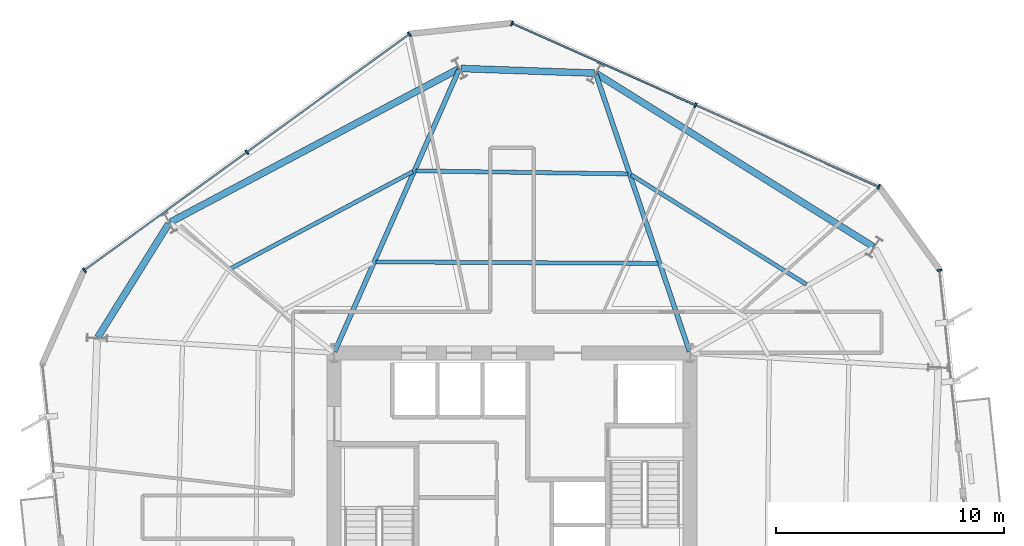
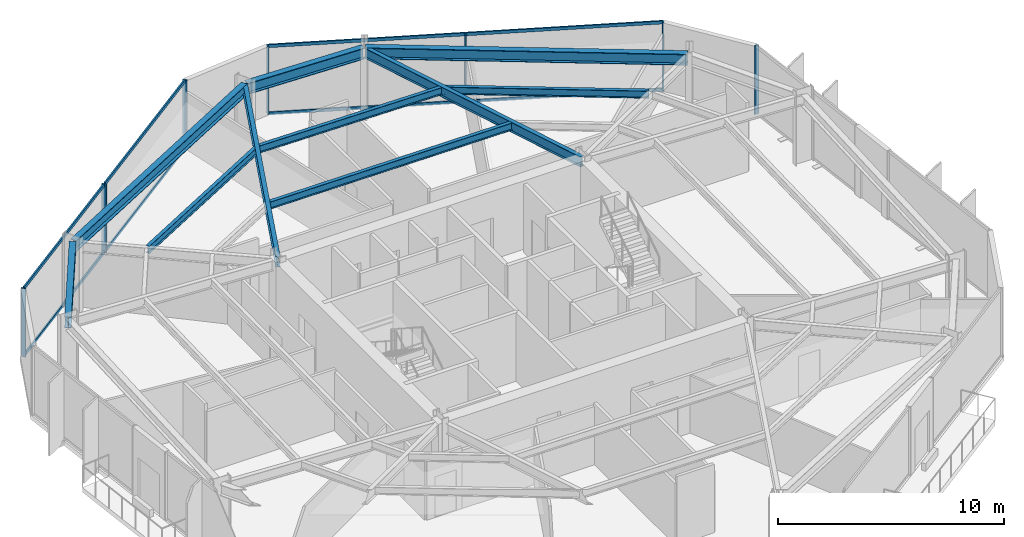
# One storey, part 5 of 12: 15 members, 10 beams, 3 elements without a shape of their own.
"""IFC4 building model written with IfcOpenShell, lengths in metres."""

from ifc_helpers import new_model, si_unit, direction, frame, origin, origin_2d, place, context, subcontext, project, spatial, rectangle, i_section, extrude, material, layer, layer_set, material_profile, profile_set, type_object, element, aggregate, save


model = new_model("IFC4")

# Units and contexts
model_context = context("Model", 3, precision=1e-05, world=origin(), true_north=direction((0.0, 1.0)))
body_context = subcontext(model_context, "Body", "Model", "MODEL_VIEW")
ifc_project = project(units=[si_unit("LENGTHUNIT", "METRE"), si_unit("AREAUNIT", "SQUARE_METRE"), si_unit("VOLUMEUNIT", "CUBIC_METRE"), si_unit("PLANEANGLEUNIT", "RADIAN"), si_unit("MASSUNIT", "GRAM", prefix="KILO")], contexts=[model_context])

# Site, building, storey
site_placement = place(None, origin())
site = spatial("IfcSite", under=ifc_project, at=site_placement, CompositionType="ELEMENT")
building_placement = place(site_placement, origin())
building = spatial("IfcBuilding", under=site, at=building_placement, Name="Kranzbogen Civic Tower", CompositionType="ELEMENT")
storey_placement = place(building_placement, frame((0.0, 0.0, 166.39990234375)))
storey = spatial("IfcBuildingStorey", under=building, at=storey_placement, Name="L40", CompositionType="ELEMENT", Elevation=166.39990234375)

# Curtain wall, members
ifc_material_1 = material(Name="Pale Anodised Aluminium", Category="aluminium")
ifc_layer = layer(ifc_material_1, 0.219970703125, Name="Pale Anodised Aluminium")
ifc_layer_set = layer_set([ifc_layer], Name="Pale Anodised Aluminium")
curtain_wall_type = type_object("IfcCurtainWallType", Name="Zone 2 Stick Curtain Wall System CW-03", PredefinedType="USERDEFINED", material=ifc_layer_set)
curtain_wall_1_placement = place(storey_placement, origin())
curtain_wall_1 = element("IfcCurtainWall", 1, at=curtain_wall_1_placement, inside=storey, type_object=curtain_wall_type, Name="L40 curtain wall CW-L40-F1", ObjectType="STICK CURTAIN WALL", PredefinedType="USERDEFINED")
ifc_material_profile_1 = material_profile(ifc_material_1, rectangle(XDim=0.074951171875, YDim=0.219970703125, at=origin_2d()), Name="ALU-M 75x220")
ifc_profile_set_1 = profile_set([ifc_material_profile_1], Name="Pale Anodised Aluminium")
member_type_1 = type_object("IfcMemberType", Name="Curtain Wall Mullion ALU-M 75x220", PredefinedType="MULLION", material=ifc_profile_set_1)
member_1_placement = place(storey_placement, frame((41.085693359375, 39.481201171875, 0.0), z_axis=(0.0, 0.0, 1.0), x_axis=(-0.913533600789, 0.406763272961, 0.0)))
member_1 = element("IfcMember", 2, at=member_1_placement, type_object=member_type_1, Name="CW-03 mullion 1", PredefinedType="MULLION", context=body_context, shape_type="SweptSolid", body=[
    extrude(rectangle(XDim=0.074951171875, YDim=0.219970703125, at=origin_2d()), origin(), (0.0, 0.0, 1.0), 3.7001953125),
])
member_2_placement = place(storey_placement, frame((33.04248046875, 43.0625, 0.0), z_axis=(0.0, 0.0, 1.0), x_axis=(-0.913533600789, 0.406763272961, 0.0)))
member_2 = element("IfcMember", 3, at=member_2_placement, type_object=member_type_1, Name="CW-03 mullion 2", PredefinedType="MULLION", context=body_context, shape_type="SweptSolid", body=[
    extrude(rectangle(XDim=0.074951171875, YDim=0.219970703125, at=origin_2d()), origin(), (0.0, 0.0, 1.0), 3.7001953125),
])
member_3_placement = place(storey_placement, frame((24.99951171875, 46.643798828125, 0.0), z_axis=(0.0, 0.0, 1.0), x_axis=(-0.913533600789, 0.406763272961, 0.0)))
member_3 = element("IfcMember", 4, at=member_3_placement, type_object=member_type_1, Name="CW-03 mullion 3", PredefinedType="MULLION", context=body_context, shape_type="SweptSolid", body=[
    extrude(rectangle(XDim=0.074951171875, YDim=0.219970703125, at=origin_2d()), origin(), (0.0, 0.0, 1.0), 3.7001953125),
])

curtain_wall_2_placement = place(storey_placement, origin())
curtain_wall_2 = element("IfcCurtainWall", 5, at=curtain_wall_2_placement, inside=storey, type_object=curtain_wall_type, Name="L40 curtain wall CW-L40-F2", ObjectType="STICK CURTAIN WALL", PredefinedType="USERDEFINED")
member_4_placement = place(storey_placement, frame((20.500732421875, 46.17138671875, 0.0), z_axis=(0.0, 0.0, 1.0), x_axis=(-0.808995433377, -0.587814927315, 0.0)))
member_4 = element("IfcMember", 6, at=member_4_placement, type_object=member_type_1, Name="CW-03 mullion 1", PredefinedType="MULLION", context=body_context, shape_type="SweptSolid", body=[
    extrude(rectangle(XDim=0.074951171875, YDim=0.219970703125, at=origin_2d()), origin(), (0.0, 0.0, 1.0), 3.7001953125),
])
member_5_placement = place(storey_placement, frame((13.3779296875, 40.99609375, 0.0), z_axis=(0.0, 0.0, 1.0), x_axis=(-0.808995433377, -0.587814927315, 0.0)))
member_5 = element("IfcMember", 7, at=member_5_placement, type_object=member_type_1, Name="CW-03 mullion 2", PredefinedType="MULLION", context=body_context, shape_type="SweptSolid", body=[
    extrude(rectangle(XDim=0.074951171875, YDim=0.219970703125, at=origin_2d()), origin(), (0.0, 0.0, 1.0), 3.7001953125),
])
member_6_placement = place(storey_placement, frame((6.25537109375, 35.820556640625, 0.0), z_axis=(0.0, 0.0, 1.0), x_axis=(-0.808995433377, -0.587814927315, 0.0)))
member_6 = element("IfcMember", 8, at=member_6_placement, type_object=member_type_1, Name="CW-03 mullion 3", PredefinedType="MULLION", context=body_context, shape_type="SweptSolid", body=[
    extrude(rectangle(XDim=0.074951171875, YDim=0.219970703125, at=origin_2d()), origin(), (0.0, 0.0, 1.0), 3.7001953125),
])

# Curtain wall, member
curtain_wall_3_placement = place(storey_placement, origin())
curtain_wall_3 = element("IfcCurtainWall", 9, at=curtain_wall_3_placement, inside=storey, type_object=curtain_wall_type, Name="L40 curtain wall CW-L40-F6-S2", ObjectType="STICK CURTAIN WALL", PredefinedType="USERDEFINED")
member_7_placement = place(storey_placement, frame((43.744140625, 35.8232421875, 0.0), z_axis=(0.0, 0.0, 1.0), x_axis=(-0.104534766048, 0.994521232899, 0.0)))
member_7 = element("IfcMember", 10, at=member_7_placement, type_object=member_type_1, Name="CW-03 mullion 2", PredefinedType="MULLION", context=body_context, shape_type="SweptSolid", body=[
    extrude(rectangle(XDim=0.074951171875, YDim=0.219970703125, at=origin_2d()), origin(), (0.0, 0.0, 1.0), 3.7001953125),
])
aggregate(curtain_wall_3, [member_7])

# Member
ifc_material_profile_2 = material_profile(ifc_material_1, rectangle(XDim=0.074951171875, YDim=0.1650390625, at=origin_2d()), Name="ALU-T 75x165")
ifc_profile_set_2 = profile_set([ifc_material_profile_2], Name="Pale Anodised Aluminium")
member_type_2 = type_object("IfcMemberType", Name="Curtain Wall Transom ALU-T 75x165", PredefinedType="USERDEFINED", material=ifc_profile_set_2)
member_8_placement = place(storey_placement, frame((41.05810546875, 39.493408203125, 0.030029296875), z_axis=(-0.913533864962, 0.406762679665, 0.0), x_axis=(-0.406762679665, -0.913533864962, 0.0)))
member_8 = element("IfcMember", 11, at=member_8_placement, type_object=member_type_2, Name="CW-03 transom 1.1", ObjectType="TRANSOM", PredefinedType="USERDEFINED", context=body_context, shape_type="SweptSolid", body=[
    extrude(rectangle(XDim=0.074951171875, YDim=0.1650390625, at=origin_2d()), origin(), (0.0, 0.0, 1.0), 8.744384765625),
])

member_9_placement = place(storey_placement, frame((41.05810546875, 39.493408203125, 3.670166015625), z_axis=(-0.913533864962, 0.406762679665, 0.0), x_axis=(-0.406762679665, -0.913533864962, 0.0)))
member_9 = element("IfcMember", 12, at=member_9_placement, type_object=member_type_2, Name="CW-03 transom 1.2", ObjectType="TRANSOM", PredefinedType="USERDEFINED", context=body_context, shape_type="SweptSolid", body=[
    extrude(rectangle(XDim=0.074951171875, YDim=0.1650390625, at=origin_2d()), origin(), (0.0, 0.0, 1.0), 8.744384765625),
])

member_10_placement = place(storey_placement, frame((33.01513671875, 43.07470703125, 0.030029296875), z_axis=(-0.913533864962, 0.406762679665, 0.0), x_axis=(-0.406762679665, -0.913533864962, 0.0)))
member_10 = element("IfcMember", 13, at=member_10_placement, type_object=member_type_2, Name="CW-03 transom 2.1", ObjectType="TRANSOM", PredefinedType="USERDEFINED", context=body_context, shape_type="SweptSolid", body=[
    extrude(rectangle(XDim=0.074951171875, YDim=0.1650390625, at=origin_2d()), origin(), (0.0, 0.0, 1.0), 8.744384765625),
])

member_11_placement = place(storey_placement, frame((33.01513671875, 43.07470703125, 3.670166015625), z_axis=(-0.913533864962, 0.406762679665, 0.0), x_axis=(-0.406762679665, -0.913533864962, 0.0)))
member_11 = element("IfcMember", 14, at=member_11_placement, type_object=member_type_2, Name="CW-03 transom 2.2", ObjectType="TRANSOM", PredefinedType="USERDEFINED", context=body_context, shape_type="SweptSolid", body=[
    extrude(rectangle(XDim=0.074951171875, YDim=0.1650390625, at=origin_2d()), origin(), (0.0, 0.0, 1.0), 8.744384765625),
])

aggregate(curtain_wall_1, [member_1, member_2, member_3, member_8, member_9, member_10, member_11])

member_12_placement = place(storey_placement, frame((20.4765625, 46.15380859375, 0.030029296875), z_axis=(-0.8089943745, -0.587816384619, 0.0), x_axis=(0.587816384619, -0.8089943745, 0.0)))
member_12 = element("IfcMember", 15, at=member_12_placement, type_object=member_type_2, Name="CW-03 transom 1.1", ObjectType="TRANSOM", PredefinedType="USERDEFINED", context=body_context, shape_type="SweptSolid", body=[
    extrude(rectangle(XDim=0.074951171875, YDim=0.1650390625, at=origin_2d()), origin(), (0.0, 0.0, 1.0), 8.744384765625),
])

member_13_placement = place(storey_placement, frame((20.4765625, 46.15380859375, 3.670166015625), z_axis=(-0.8089943745, -0.587816384619, 0.0), x_axis=(0.587816384619, -0.8089943745, 0.0)))
member_13 = element("IfcMember", 16, at=member_13_placement, type_object=member_type_2, Name="CW-03 transom 1.2", ObjectType="TRANSOM", PredefinedType="USERDEFINED", context=body_context, shape_type="SweptSolid", body=[
    extrude(rectangle(XDim=0.074951171875, YDim=0.1650390625, at=origin_2d()), origin(), (0.0, 0.0, 1.0), 8.744384765625),
])

member_14_placement = place(storey_placement, frame((13.353759765625, 40.978271484375, 0.030029296875), z_axis=(-0.809007651338, -0.587798111665, 0.0), x_axis=(0.587798111665, -0.809007651338, 0.0)))
member_14 = element("IfcMember", 17, at=member_14_placement, type_object=member_type_2, Name="CW-03 transom 2.1", ObjectType="TRANSOM", PredefinedType="USERDEFINED", context=body_context, shape_type="SweptSolid", body=[
    extrude(rectangle(XDim=0.074951171875, YDim=0.1650390625, at=origin_2d()), origin(), (0.0, 0.0, 1.0), 8.744384765625),
])

member_15_placement = place(storey_placement, frame((13.353759765625, 40.978271484375, 3.670166015625), z_axis=(-0.809007651338, -0.587798111665, 0.0), x_axis=(0.587798111665, -0.809007651338, 0.0)))
member_15 = element("IfcMember", 18, at=member_15_placement, type_object=member_type_2, Name="CW-03 transom 2.2", ObjectType="TRANSOM", PredefinedType="USERDEFINED", context=body_context, shape_type="SweptSolid", body=[
    extrude(rectangle(XDim=0.074951171875, YDim=0.1650390625, at=origin_2d()), origin(), (0.0, 0.0, 1.0), 8.744384765625),
])

aggregate(curtain_wall_2, [member_4, member_5, member_6, member_12, member_13, member_14, member_15])

# Beams
ifc_material_2 = material(Name="Steel S355", Category="steel")
ifc_material_profile_3 = material_profile(ifc_material_2, i_section(OverallWidth=0.300048828125, OverallDepth=0.60009765625, WebThickness=0.015380859375, FlangeThickness=0.030029296875, at=origin_2d()), Name="HEB 600")
ifc_profile_set_3 = profile_set([ifc_material_profile_3], Name="Steel S355")
beam_type_1 = type_object("IfcBeamType", Name="Perimeter Tube Spandrel Beam HEB 600", PredefinedType="SPANDREL", material=ifc_profile_set_3)
beam_1_placement = place(storey_placement, frame((40.8349609375, 36.861083984375, 3.400146484375), z_axis=(-0.848051101349, 0.52991445489, 0.0), x_axis=(-0.52991445489, -0.848051101349, 0.0)))
element("IfcBeam", 19, at=beam_1_placement, inside=storey, type_object=beam_type_1, Name="L40 perimeter spandrel beam 08", PredefinedType="SPANDREL", context=body_context, shape_type="SweptSolid", body=[
    extrude(i_section(OverallWidth=0.300048828125, OverallDepth=0.60009765625, WebThickness=0.015380859375, FlangeThickness=0.030029296875, at=origin_2d()), origin(), (0.0, 0.0, 1.0), 14.286865234375),
])
beam_2_placement = place(storey_placement, frame((28.60791015625, 44.466064453125, 3.400146484375), z_axis=(-0.999393148233, 0.03483296234, 0.0), x_axis=(-0.03483296234, -0.999393148233, 0.0)))
element("IfcBeam", 20, at=beam_2_placement, inside=storey, type_object=beam_type_1, Name="L40 perimeter spandrel beam 09", PredefinedType="SPANDREL", context=body_context, shape_type="SweptSolid", body=[
    extrude(i_section(OverallWidth=0.300048828125, OverallDepth=0.60009765625, WebThickness=0.015380859375, FlangeThickness=0.030029296875, at=origin_2d()), origin(), (0.0, 0.0, 1.0), 5.8525390625),
])
beam_3_placement = place(storey_placement, frame((22.64599609375, 44.64404296875, 3.400146484375), z_axis=(-0.882948194046, -0.469470432116, 0.0), x_axis=(0.469470432116, -0.882948194046, 0.0)))
element("IfcBeam", 21, at=beam_3_placement, inside=storey, type_object=beam_type_1, Name="L40 perimeter spandrel beam 10", PredefinedType="SPANDREL", context=body_context, shape_type="SweptSolid", body=[
    extrude(i_section(OverallWidth=0.300048828125, OverallDepth=0.60009765625, WebThickness=0.015380859375, FlangeThickness=0.030029296875, at=origin_2d()), origin(), (0.0, 0.0, 1.0), 14.28857421875),
])
beam_4_placement = place(storey_placement, frame((9.945068359375, 37.85693359375, 3.400146484375), z_axis=(-0.529863902903, -0.848082687242, 0.0), x_axis=(0.848082687242, -0.529863902903, 0.0)))
element("IfcBeam", 22, at=beam_4_placement, inside=storey, type_object=beam_type_1, Name="L40 perimeter spandrel beam 11", PredefinedType="SPANDREL", context=body_context, shape_type="SweptSolid", body=[
    extrude(i_section(OverallWidth=0.300048828125, OverallDepth=0.60009765625, WebThickness=0.015380859375, FlangeThickness=0.030029296875, at=origin_2d()), origin(), (0.0, 0.0, 1.0), 5.850830078125),
])
ifc_material_profile_4 = material_profile(ifc_material_2, i_section(OverallWidth=0.2099609375, OverallDepth=0.550048828125, WebThickness=0.010986328125, FlangeThickness=0.01708984375, at=origin_2d()), Name="IPE 550")
ifc_profile_set_4 = profile_set([ifc_material_profile_4], Name="Steel S355")
beam_type_2 = type_object("IfcBeamType", Name="Radial Tower Floor Girder IPE 550", PredefinedType="BEAM", material=ifc_profile_set_4)
beam_5_placement = place(storey_placement, frame((28.68701171875, 44.406982421875, 3.425048828125), z_axis=(0.319316617377, -0.947648087566, 0.0), x_axis=(0.947648087566, 0.319316617377, 0.0)))
element("IfcBeam", 23, at=beam_5_placement, inside=storey, type_object=beam_type_2, Name="L40 radial floor girder 09", PredefinedType="BEAM", context=body_context, shape_type="SweptSolid", body=[
    extrude(i_section(OverallWidth=0.2099609375, OverallDepth=0.550048828125, WebThickness=0.010986328125, FlangeThickness=0.01708984375, at=origin_2d()), origin(), (0.0, 0.0, 1.0), 12.821044921875),
])
beam_6_placement = place(storey_placement, frame((22.675048828125, 44.616943359375, 3.425048828125), z_axis=(-0.403459127705, -0.914997667905, 0.0), x_axis=(0.914997667905, -0.403459127705, 0.0)))
element("IfcBeam", 24, at=beam_6_placement, inside=storey, type_object=beam_type_2, Name="L40 radial floor girder 10", PredefinedType="BEAM", context=body_context, shape_type="SweptSolid", body=[
    extrude(i_section(OverallWidth=0.2099609375, OverallDepth=0.550048828125, WebThickness=0.010986328125, FlangeThickness=0.01708984375, at=origin_2d()), origin(), (0.0, 0.0, 1.0), 13.510498046875),
])
ifc_material_profile_5 = material_profile(ifc_material_2, i_section(OverallWidth=0.179931640625, OverallDepth=0.39990234375, WebThickness=0.008544921875, FlangeThickness=0.013427734375, at=origin_2d()), Name="IPE 400")
ifc_profile_set_5 = profile_set([ifc_material_profile_5], Name="Steel S355")
beam_type_3 = type_object("IfcBeamType", Name="Secondary Composite Floor Joist IPE 400", PredefinedType="JOIST", material=ifc_profile_set_5)
beam_7_placement = place(storey_placement, frame((37.906982421875, 35.205078125, 3.5), z_axis=(-0.848025549308, 0.529955345026, 0.0), x_axis=(-0.529955345026, -0.848025549308, 0.0)))
element("IfcBeam", 25, at=beam_7_placement, inside=storey, type_object=beam_type_3, Name="L40 secondary floor joist 1.08", PredefinedType="JOIST", context=body_context, shape_type="SweptSolid", body=[
    extrude(i_section(OverallWidth=0.179931640625, OverallDepth=0.39990234375, WebThickness=0.008544921875, FlangeThickness=0.013427734375, at=origin_2d()), origin(), (0.0, 0.0, 1.0), 9.06103515625),
])
beam_8_placement = place(storey_placement, frame((30.075927734375, 40.050048828125, 3.5), z_axis=(-0.999900525148, 0.014104602386, 0.0), x_axis=(-0.014104602386, -0.999900525148, 0.0)))
element("IfcBeam", 26, at=beam_8_placement, inside=storey, type_object=beam_type_3, Name="L40 secondary floor joist 1.09", PredefinedType="JOIST", context=body_context, shape_type="SweptSolid", body=[
    extrude(i_section(OverallWidth=0.179931640625, OverallDepth=0.39990234375, WebThickness=0.008544921875, FlangeThickness=0.013427734375, at=origin_2d()), origin(), (0.0, 0.0, 1.0), 9.27783203125),
])
beam_9_placement = place(storey_placement, frame((31.39794921875, 36.125, 3.5), z_axis=(-0.999985774147, 0.005333995002, 0.0), x_axis=(-0.005333995002, -0.999985774147, 0.0)))
element("IfcBeam", 27, at=beam_9_placement, inside=storey, type_object=beam_type_3, Name="L40 secondary floor joist 2.09", PredefinedType="JOIST", context=body_context, shape_type="SweptSolid", body=[
    extrude(i_section(OverallWidth=0.179931640625, OverallDepth=0.39990234375, WebThickness=0.008544921875, FlangeThickness=0.013427734375, at=origin_2d()), origin(), (0.0, 0.0, 1.0), 12.358154296875),
])
beam_10_placement = place(storey_placement, frame((20.64892578125, 40.14501953125, 3.5), z_axis=(-0.882960787661, -0.469446746131, 0.0), x_axis=(0.469446746131, -0.882960787661, 0.0)))
element("IfcBeam", 28, at=beam_10_placement, inside=storey, type_object=beam_type_3, Name="L40 secondary floor joist 1.10", PredefinedType="JOIST", context=body_context, shape_type="SweptSolid", body=[
    extrude(i_section(OverallWidth=0.179931640625, OverallDepth=0.39990234375, WebThickness=0.008544921875, FlangeThickness=0.013427734375, at=origin_2d()), origin(), (0.0, 0.0, 1.0), 9.0615234375),
])

save(model, "model.ifc")
